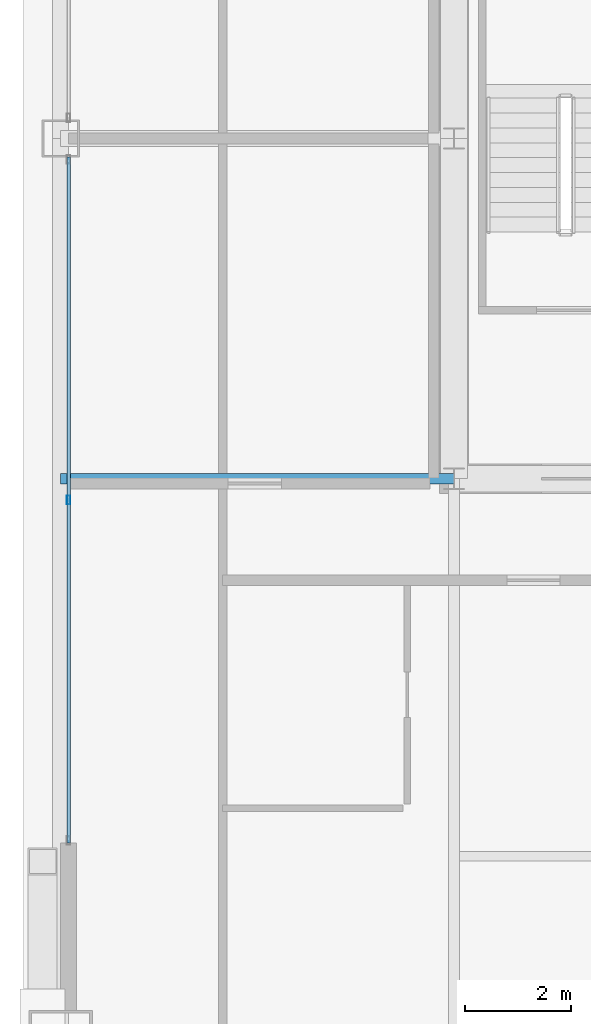
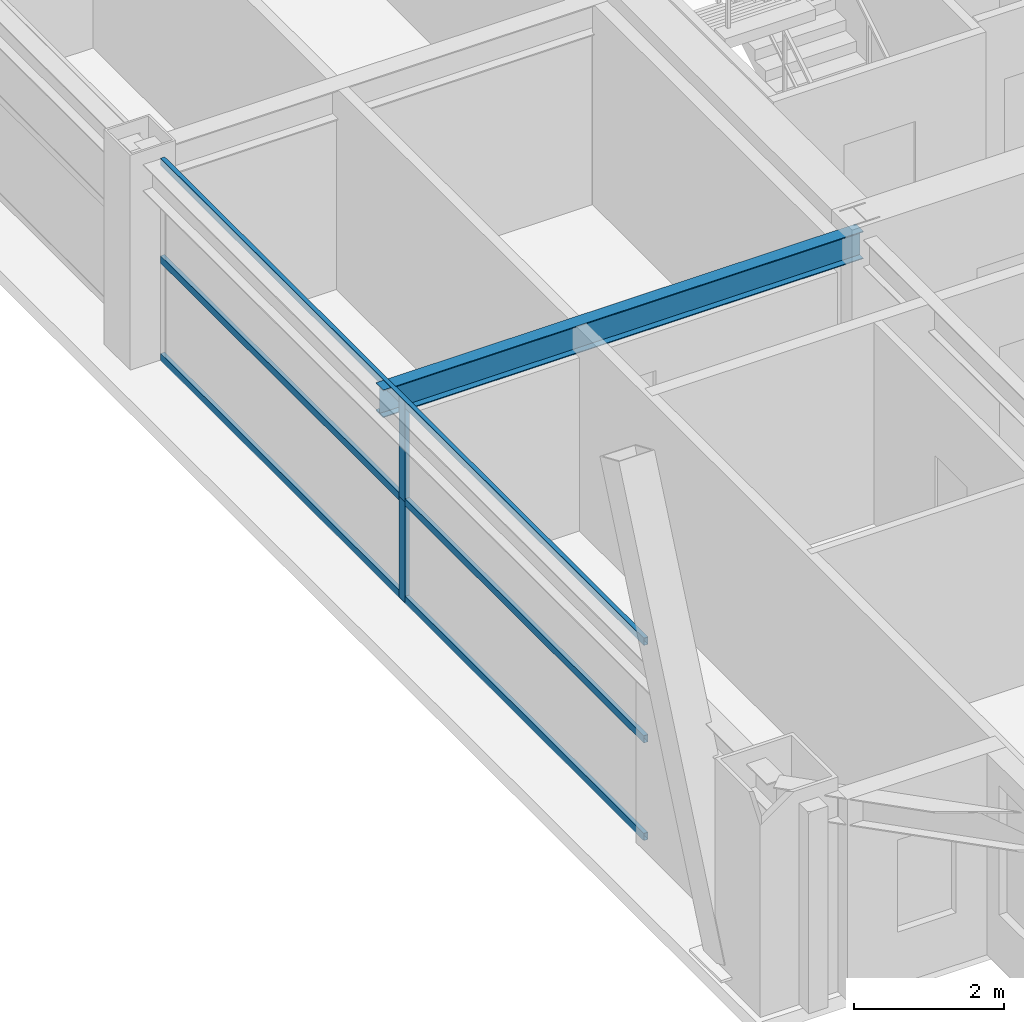
# One storey, part 7 of 34: 5 members, 1 beam, 1 element without a shape of its own.
"""IFC4 building model written with IfcOpenShell, lengths in metres."""

from ifc_helpers import new_model, si_unit, direction, frame, origin, origin_2d, place, context, subcontext, project, spatial, hollow_rectangle, i_section, extrude, source, transform, mapped, material, layer, layer_set, material_profile, profile_set, type_object, element, aggregate, save


model = new_model("IFC4")

# Units and contexts
model_context = context("Model", 3, precision=1e-05, world=origin(), true_north=direction((0.0, 1.0)))
body_context = subcontext(model_context, "Body", "Model", "MODEL_VIEW")
ifc_project = project(units=[si_unit("LENGTHUNIT", "METRE"), si_unit("AREAUNIT", "SQUARE_METRE"), si_unit("VOLUMEUNIT", "CUBIC_METRE"), si_unit("PLANEANGLEUNIT", "RADIAN"), si_unit("MASSUNIT", "GRAM", prefix="KILO"), si_unit("THERMODYNAMICTEMPERATUREUNIT", "KELVIN"), si_unit("POWERUNIT", "WATT")], contexts=[model_context])

# Site, building, storey
site_placement = place(None, origin())
site = spatial("IfcSite", under=ifc_project, at=site_placement, CompositionType="ELEMENT")
building_placement = place(site_placement, origin())
building = spatial("IfcBuilding", under=site, at=building_placement, Name="Yuzanri Waterfront Tower", CompositionType="ELEMENT")
storey_placement = place(building_placement, frame((0.0, 0.0, 241.60009765625)))
storey = spatial("IfcBuildingStorey", under=building, at=storey_placement, Name="L64", CompositionType="ELEMENT", Elevation=241.60009765625)

# Beam
ifc_material_1 = material(Name="Steel Q355B", Category="steel")
ifc_material_profile_1 = material_profile(ifc_material_1, i_section(OverallWidth=0.199951171875, OverallDepth=0.449951171875, WebThickness=0.009033203125, FlangeThickness=0.013916015625, at=origin_2d()), Name="HN 450x200x9x14")
ifc_profile_set_1 = profile_set([ifc_material_profile_1], Name="Steel Q355B")
beam_type = type_object("IfcBeamType", Name="Secondary Floor Beam Q355B HN 450x200", PredefinedType="BEAM", material=ifc_profile_set_1)
shared_shape_1 = source(origin(), body_context, "Body", "SweptSolid", [
    extrude(i_section(OverallWidth=0.199951171875, OverallDepth=0.449951171875, WebThickness=0.009033203125, FlangeThickness=0.013916015625, at=origin_2d()), origin(), (0.0, 0.0, 1.0), 7.400146484375),
])
beam_placement = place(storey_placement, frame((23.800048828125, 19.39990234375, 3.054931640625), z_axis=(-1.0, 0.0, 0.0), x_axis=(0.0, -1.0, 0.0)))
element("IfcBeam", 1, at=beam_placement, inside=storey, type_object=beam_type, Name="L64 West-South Core Line Beam", PredefinedType="BEAM", context=body_context, shape_type="MappedRepresentation", body=[
    mapped(shared_shape_1, transform((0.0, 0.0, 0.0), scale=1.0)),
])

# Curtain wall, members
ifc_material_2 = material(Name="Anodized Architectural Bronze", Category="metal")
ifc_layer = layer(ifc_material_2, 0.159912109375)
ifc_layer_set = layer_set([ifc_layer], Name="Anodized Architectural Bronze")
curtain_wall_type = type_object("IfcCurtainWallType", Name="Anodized Bronze Mid-Rise Residential Acoustic Unitized Curtain Wall 7200", PredefinedType="NOTDEFINED", material=ifc_layer_set)
curtain_wall_placement = place(storey_placement, origin())
curtain_wall = element("IfcCurtainWall", 2, at=curtain_wall_placement, inside=storey, type_object=curtain_wall_type, Name="L64 Curtain Wall CW-L64-WL", PredefinedType="NOTDEFINED")
ifc_material_3 = material(Name="Anodized Architectural Bronze", Category="metal")
ifc_material_profile_2 = material_profile(ifc_material_3, hollow_rectangle(XDim=0.06494140625, YDim=0.159912109375, WallThickness=0.00341796875, at=origin_2d()), Name="CWM 65x160")
ifc_profile_set_2 = profile_set([ifc_material_profile_2], Name="Anodized Architectural Bronze")
member_type_1 = type_object("IfcMemberType", Name="Anodized Bronze Upper-Zone Curtain-Wall Mullion 65x160", PredefinedType="MULLION", material=ifc_profile_set_2)
shared_shape_2 = source(origin(), body_context, "Body", "SweptSolid", [
    extrude(hollow_rectangle(XDim=0.06494140625, YDim=0.159912109375, WallThickness=0.00341796875, at=origin_2d()), origin(), (0.0, 0.0, 1.0), 1.637939453125),
])
member_1_placement = place(storey_placement, frame((16.550048828125, 19.0, 0.0), z_axis=(0.0, 0.0, 1.0), x_axis=(1.0, 0.0, 0.0)))
member_1 = element("IfcMember", 3, at=member_1_placement, type_object=member_type_1, Name="CW-L64-WL Lower Mullion 01", PredefinedType="MULLION", context=body_context, shape_type="MappedRepresentation", body=[
    mapped(shared_shape_2, transform((0.0, 0.0, 0.0), scale=1.0)),
])
member_2_placement = place(storey_placement, frame((16.550048828125, 19.0, 1.641845703125), z_axis=(0.0, 0.0, 1.0), x_axis=(1.0, 0.0, 0.0)))
member_2 = element("IfcMember", 4, at=member_2_placement, type_object=member_type_1, Name="CW-L64-WL Upper Mullion 01", PredefinedType="MULLION", context=body_context, shape_type="MappedRepresentation", body=[
    mapped(shared_shape_2, transform((0.0, 0.0, 0.0), scale=1.0)),
])
ifc_material_4 = material(Name="Anodized Architectural Bronze", Category="metal")
ifc_material_profile_3 = material_profile(ifc_material_4, hollow_rectangle(XDim=0.06494140625, YDim=0.1201171875, WallThickness=0.00341796875, at=origin_2d()), Name="CWT 65x120")
ifc_profile_set_3 = profile_set([ifc_material_profile_3], Name="Anodized Architectural Bronze")
member_type_2 = type_object("IfcMemberType", Name="Anodized Bronze Secondary Curtain-Wall Transom 65x120", PredefinedType="USERDEFINED", material=ifc_profile_set_3)
shared_shape_3 = source(origin(), body_context, "Body", "SweptSolid", [
    extrude(hollow_rectangle(XDim=0.06494140625, YDim=0.1201171875, WallThickness=0.00341796875, at=origin_2d()), origin(), (0.0, 0.0, 1.0), 12.89990234375),
])
member_3_placement = place(storey_placement, frame((16.550048828125, 12.550048828125, 0.0498046875), z_axis=(0.0, 1.0, 0.0), x_axis=(-1.0, 0.0, 0.0)))
member_3 = element("IfcMember", 5, at=member_3_placement, type_object=member_type_2, Name="CW-L64-WL Transom 1", ObjectType="TRANSOM", PredefinedType="USERDEFINED", context=body_context, shape_type="MappedRepresentation", body=[
    mapped(shared_shape_3, transform((0.0, 0.0, 0.0), scale=1.0)),
])
member_4_placement = place(storey_placement, frame((16.550048828125, 12.550048828125, 1.639892578125), z_axis=(0.0, 1.0, 0.0), x_axis=(-1.0, 0.0, 0.0)))
member_4 = element("IfcMember", 6, at=member_4_placement, type_object=member_type_2, Name="CW-L64-WL Transom 2", ObjectType="TRANSOM", PredefinedType="USERDEFINED", context=body_context, shape_type="MappedRepresentation", body=[
    mapped(shared_shape_3, transform((0.0, 0.0, 0.0), scale=1.0)),
])
member_5_placement = place(storey_placement, frame((16.550048828125, 12.550048828125, 3.22998046875), z_axis=(0.0, 1.0, 0.0), x_axis=(-1.0, 0.0, 0.0)))
member_5 = element("IfcMember", 7, at=member_5_placement, type_object=member_type_2, Name="CW-L64-WL Transom 3", ObjectType="TRANSOM", PredefinedType="USERDEFINED", context=body_context, shape_type="MappedRepresentation", body=[
    mapped(shared_shape_3, transform((0.0, 0.0, 0.0), scale=1.0)),
])
aggregate(curtain_wall, [member_1, member_2, member_3, member_4, member_5])

save(model, "model.ifc")
